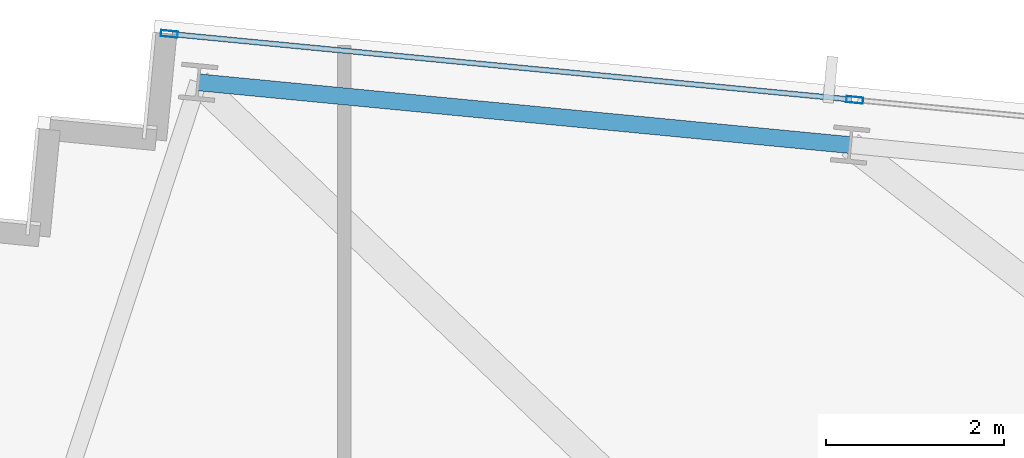
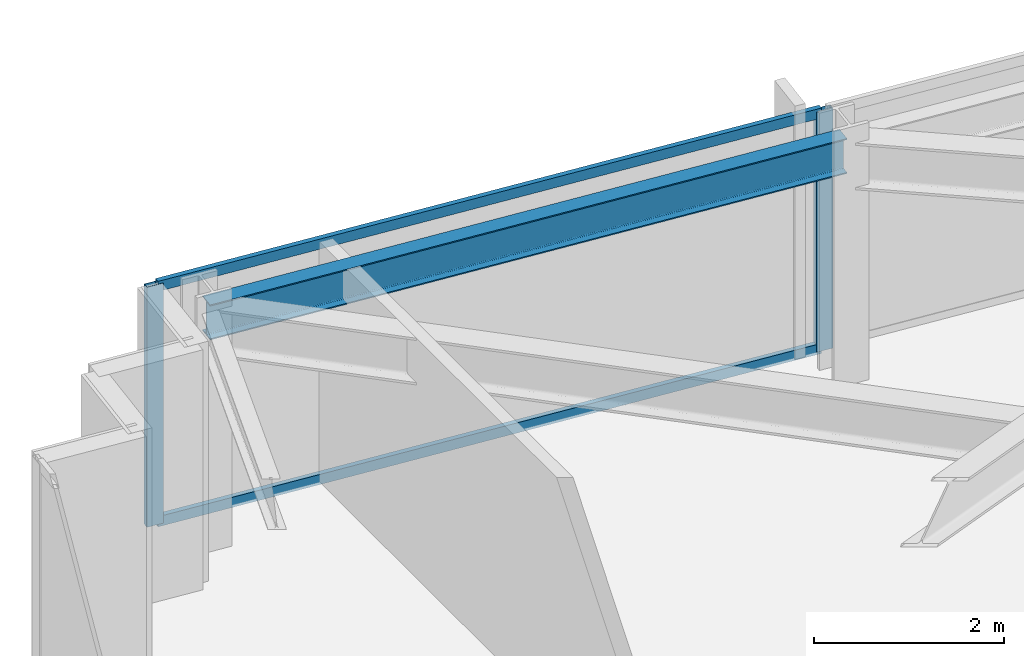
# One storey, part 23 of 37: 4 members, 1 beam, 1 element without a shape of its own.
"""IFC4 building model written with IfcOpenShell, lengths in metres."""

from ifc_helpers import new_model, si_unit, direction, frame, origin, origin_2d, place, context, subcontext, project, spatial, hollow_rectangle, i_section, extrude, material, material_profile, profile_set, type_object, element, aggregate, save


model = new_model("IFC4")

# Units and contexts
model_context = context("Model", 3, precision=1e-05, world=origin(), true_north=direction((0.0, 1.0)))
body_context = subcontext(model_context, "Body", "Model", "MODEL_VIEW")
ifc_project = project(units=[si_unit("LENGTHUNIT", "METRE"), si_unit("AREAUNIT", "SQUARE_METRE"), si_unit("VOLUMEUNIT", "CUBIC_METRE"), si_unit("PLANEANGLEUNIT", "RADIAN"), si_unit("MASSUNIT", "GRAM", prefix="KILO")], contexts=[model_context])

# Site, building, storey
site_placement = place(None, origin())
site = spatial("IfcSite", under=ifc_project, at=site_placement, CompositionType="ELEMENT")
building_placement = place(site_placement, origin())
building = spatial("IfcBuilding", under=site, at=building_placement, Name="Yelkora Congress Tower", CompositionType="ELEMENT")
storey_placement = place(building_placement, frame((0.0, 0.0, 175.39990234375)))
storey = spatial("IfcBuildingStorey", under=building, at=storey_placement, Name="L48", CompositionType="ELEMENT", Elevation=175.39990234375)

# Beam
ifc_material_1 = material(Name="Steel S355J2", Category="steel")
ifc_material_profile_1 = material_profile(ifc_material_1, i_section(OverallWidth=0.18994140625, OverallDepth=0.449951171875, WebThickness=0.009521484375, FlangeThickness=0.0146484375, FilletRadius=0.02099609375, at=origin_2d()), Name="IPE 450")
ifc_profile_set_1 = profile_set([ifc_material_profile_1], Name="Steel S355J2")
beam_type = type_object("IfcBeamType", Name="BM-SPAN-IPE450", PredefinedType="SPANDREL", material=ifc_profile_set_1)
beam_placement = place(storey_placement, frame((14.712158203125, 49.685546875, 2.85498046875), z_axis=(-0.995397104697, 0.095836339457, 0.0), x_axis=(-0.095836339457, -0.995397104697, 0.0)))
element("IfcBeam", 1, at=beam_placement, inside=storey, type_object=beam_type, Name="L48 Perimeter Beam 15", PredefinedType="SPANDREL", context=body_context, shape_type="SweptSolid", body=[
    extrude(i_section(OverallWidth=0.18994140625, OverallDepth=0.449951171875, WebThickness=0.009521484375, FlangeThickness=0.0146484375, FilletRadius=0.02099609375, at=origin_2d()), origin(), (0.0, 0.0, 1.0), 7.357177734375),
])

# Curtain wall, members
ifc_material_2 = material(Name="Anodised aluminium and insulated glass", Category="aluminium")
curtain_wall_type = type_object("IfcCurtainWallType", Name="CW-SYS-B3", PredefinedType="NOTDEFINED", material=ifc_material_2)
curtain_wall_placement = place(storey_placement, origin())
curtain_wall = element("IfcCurtainWall", 2, at=curtain_wall_placement, inside=storey, type_object=curtain_wall_type, Name="L48 Unitised Curtain Wall 10 (1)", PredefinedType="NOTDEFINED")
ifc_material_3 = material(Name="Anodised aluminium 6063-T6", Category="aluminium")
ifc_material_profile_2 = material_profile(ifc_material_3, hollow_rectangle(XDim=0.070068359375, YDim=0.18994140625, WallThickness=0.00390625, at=origin_2d()), Name="ALU 70x190x4")
ifc_profile_set_2 = profile_set([ifc_material_profile_2], Name="Anodised aluminium 6063-T6")
member_type_1 = type_object("IfcMemberType", Name="MEM-ML-B3", PredefinedType="MULLION", material=ifc_profile_set_2)
member_1_placement = place(storey_placement, frame((7.064453125, 50.934326171875, 0.0), z_axis=(0.0, 0.0, 1.0), x_axis=(0.095844761168, 0.995396293823, 0.0)))
member_1 = element("IfcMember", 3, at=member_1_placement, type_object=member_type_1, Name="CW-B3 mullion 1", PredefinedType="MULLION", context=body_context, shape_type="SweptSolid", body=[
    extrude(hollow_rectangle(XDim=0.070068359375, YDim=0.18994140625, WallThickness=0.00390625, at=origin_2d()), origin(), (0.0, 0.0, 1.0), 3.080078125),
])
member_2_placement = place(storey_placement, frame((14.76318359375, 50.19287109375, 0.0), z_axis=(0.0, 0.0, 1.0), x_axis=(0.095844761168, 0.995396293823, 0.0)))
member_2 = element("IfcMember", 4, at=member_2_placement, type_object=member_type_1, Name="CW-B3 mullion 2", PredefinedType="MULLION", context=body_context, shape_type="SweptSolid", body=[
    extrude(hollow_rectangle(XDim=0.070068359375, YDim=0.18994140625, WallThickness=0.00390625, at=origin_2d()), origin(), (0.0, 0.0, 1.0), 3.080078125),
])
ifc_material_profile_3 = material_profile(ifc_material_3, hollow_rectangle(XDim=0.06005859375, YDim=0.1298828125, WallThickness=0.00390625, at=origin_2d()), Name="ALU 60x130x4")
ifc_profile_set_3 = profile_set([ifc_material_profile_3], Name="Anodised aluminium 6063-T6")
member_type_2 = type_object("IfcMemberType", Name="MEM-TR-B3", PredefinedType="USERDEFINED", material=ifc_profile_set_3)
member_3_placement = place(storey_placement, frame((7.099365234375, 50.930908203125, 0.030029296875), z_axis=(0.995395712642, -0.09585079683, 0.0), x_axis=(0.09585079683, 0.995395712642, 0.0)))
member_3 = element("IfcMember", 5, at=member_3_placement, type_object=member_type_2, Name="CW-B3 transom 1.1", ObjectType="TRANSOM", PredefinedType="USERDEFINED", context=body_context, shape_type="SweptSolid", body=[
    extrude(hollow_rectangle(XDim=0.06005859375, YDim=0.1298828125, WallThickness=0.00390625, at=origin_2d()), origin(), (0.0, 0.0, 1.0), 7.664306640625),
])
member_4_placement = place(storey_placement, frame((7.099365234375, 50.930908203125, 3.050048828125), z_axis=(0.995395712642, -0.09585079683, 0.0), x_axis=(0.09585079683, 0.995395712642, 0.0)))
member_4 = element("IfcMember", 6, at=member_4_placement, type_object=member_type_2, Name="CW-B3 transom 1.2", ObjectType="TRANSOM", PredefinedType="USERDEFINED", context=body_context, shape_type="SweptSolid", body=[
    extrude(hollow_rectangle(XDim=0.06005859375, YDim=0.1298828125, WallThickness=0.00390625, at=origin_2d()), origin(), (0.0, 0.0, 1.0), 7.664306640625),
])
aggregate(curtain_wall, [member_1, member_2, member_3, member_4])

save(model, "model.ifc")
